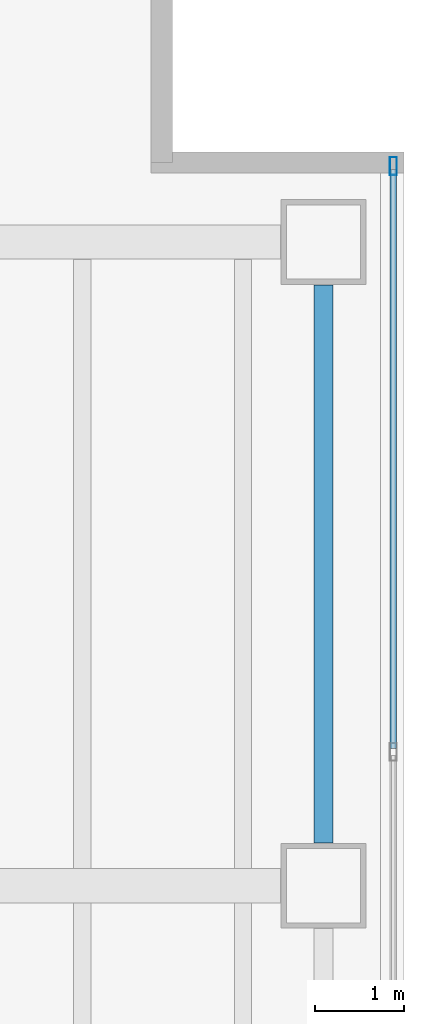
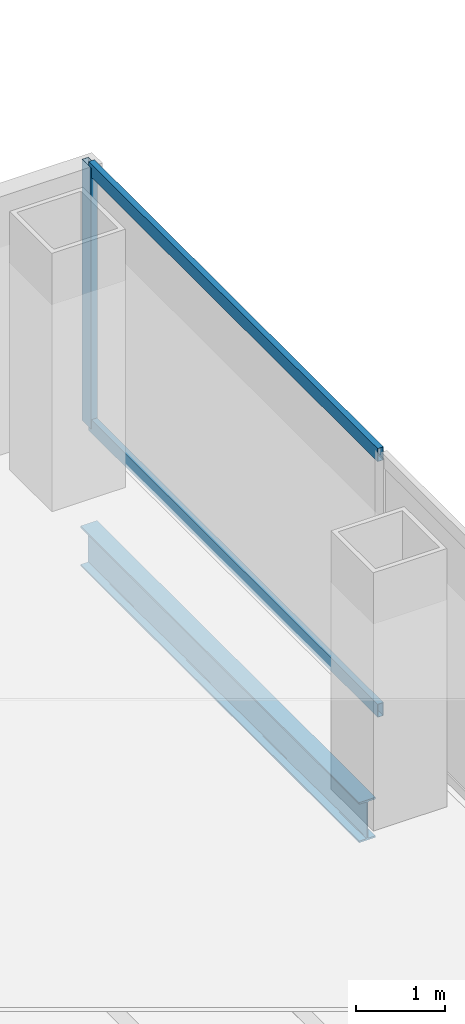
# One storey, part 13 of 24: 3 members, 1 beam, 1 element without a shape of its own.
"""IFC4 building model written with IfcOpenShell, lengths in metres."""

from ifc_helpers import new_model, si_unit, direction, frame, origin, origin_2d, place, context, subcontext, project, spatial, hollow_rectangle, i_section, extrude, material, material_profile, profile_set, type_object, element, aggregate, save


model = new_model("IFC4")

# Units and contexts
model_context = context("Model", 3, precision=1e-05, world=origin(), true_north=direction((0.0, 1.0)))
body_context = subcontext(model_context, "Body", "Model", "MODEL_VIEW")
ifc_project = project(units=[si_unit("LENGTHUNIT", "METRE"), si_unit("AREAUNIT", "SQUARE_METRE"), si_unit("VOLUMEUNIT", "CUBIC_METRE"), si_unit("PLANEANGLEUNIT", "RADIAN"), si_unit("MASSUNIT", "GRAM", prefix="KILO")], contexts=[model_context])

# Site, building, storey
site_placement = place(None, origin())
site = spatial("IfcSite", under=ifc_project, at=site_placement, CompositionType="ELEMENT")
building_placement = place(site_placement, origin())
building = spatial("IfcBuilding", under=site, at=building_placement, Name="Cobrela Telecom Tower", CompositionType="ELEMENT")
storey_placement = place(building_placement, frame((0.0, 0.0, 85.050048828125)))
storey = spatial("IfcBuildingStorey", under=building, at=storey_placement, Name="L21", CompositionType="ELEMENT", Elevation=85.050048828125)

# Beam
ifc_material_1 = material(Name="Steel ASTM A992 Grade 50", Category="steel")
ifc_material_profile_1 = material_profile(ifc_material_1, i_section(OverallWidth=0.212890625, OverallDepth=0.549072265625, WebThickness=0.0146484375, FlangeThickness=0.023681640625, FilletRadius=0.013916015625, at=origin_2d()), Name="W21X93")
ifc_profile_set_1 = profile_set([ifc_material_profile_1], Name="Steel ASTM A992 Grade 50")
beam_type = type_object("IfcBeamType", Name="BM-SPAND-03", PredefinedType="SPANDREL", material=ifc_profile_set_1)
beam_placement = place(storey_placement, frame((49.5, 14.8798828125, -0.554443359375), z_axis=(0.0, 1.0, 0.0), x_axis=(-1.0, 0.0, 0.0)))
element("IfcBeam", 1, at=beam_placement, inside=storey, type_object=beam_type, Name="L21 Perimeter Spandrel Y57", PredefinedType="SPANDREL", context=body_context, shape_type="SweptSolid", body=[
    extrude(i_section(OverallWidth=0.212890625, OverallDepth=0.549072265625, WebThickness=0.0146484375, FlangeThickness=0.023681640625, FilletRadius=0.013916015625, at=origin_2d()), origin(), (0.0, 0.0, 1.0), 6.240234375),
])

# Curtain wall, members
ifc_material_2 = material(Name="Anodized Bronze Aluminium 6063-T6", Category="aluminium")
curtain_wall_type = type_object("IfcCurtainWallType", Name="CW-SYS-DATA", PredefinedType="USERDEFINED", material=ifc_material_2)
curtain_wall_placement = place(storey_placement, origin())
curtain_wall = element("IfcCurtainWall", 2, at=curtain_wall_placement, inside=storey, type_object=curtain_wall_type, Name="L21 Unitised Bronze Curtain Wall 14", ObjectType="UNITISED CURTAIN WALL", PredefinedType="USERDEFINED")
ifc_material_profile_2 = material_profile(ifc_material_2, hollow_rectangle(XDim=0.080078125, YDim=0.199951171875, WallThickness=0.00390625, at=origin_2d()), Name="ALU 80x200x4")
ifc_profile_set_2 = profile_set([ifc_material_profile_2], Name="Anodized Bronze Aluminium 6063-T6")
member_type_1 = type_object("IfcMemberType", Name="CW-SYS-DATA-MUL", PredefinedType="MULLION", material=ifc_profile_set_2)
member_1_placement = place(storey_placement, frame((50.280029296875, 22.449951171875, 0.0), z_axis=(0.0, 0.0, 1.0), x_axis=(1.0, 0.0, 0.0)))
member_1 = element("IfcMember", 3, at=member_1_placement, type_object=member_type_1, Name="CW-DATA mullion 1", PredefinedType="MULLION", context=body_context, shape_type="SweptSolid", body=[
    extrude(hollow_rectangle(XDim=0.080078125, YDim=0.199951171875, WallThickness=0.00390625, at=origin_2d()), origin(), (0.0, 0.0, 1.0), 3.570068359375),
])
ifc_material_profile_3 = material_profile(ifc_material_2, hollow_rectangle(XDim=0.074951171875, YDim=0.179931640625, WallThickness=0.00390625, at=origin_2d()), Name="ALU 75x180x4")
ifc_profile_set_3 = profile_set([ifc_material_profile_3], Name="Anodized Bronze Aluminium 6063-T6")
member_type_2 = type_object("IfcMemberType", Name="CW-SYS-DATA-TRN", PredefinedType="USERDEFINED", material=ifc_profile_set_3)
member_2_placement = place(storey_placement, frame((50.280029296875, 22.409912109375, 0.037353515625), z_axis=(0.0, -1.0, 0.0), x_axis=(1.0, 0.0, 0.0)))
member_2 = element("IfcMember", 4, at=member_2_placement, type_object=member_type_2, Name="CW-DATA transom 1.1", ObjectType="TRANSOM", PredefinedType="USERDEFINED", context=body_context, shape_type="SweptSolid", body=[
    extrude(hollow_rectangle(XDim=0.074951171875, YDim=0.179931640625, WallThickness=0.00390625, at=origin_2d()), origin(), (0.0, 0.0, 1.0), 6.47314453125),
])
member_3_placement = place(storey_placement, frame((50.280029296875, 22.409912109375, 3.532470703125), z_axis=(0.0, -1.0, 0.0), x_axis=(1.0, 0.0, 0.0)))
member_3 = element("IfcMember", 5, at=member_3_placement, type_object=member_type_2, Name="CW-DATA transom 1.2", ObjectType="TRANSOM", PredefinedType="USERDEFINED", context=body_context, shape_type="SweptSolid", body=[
    extrude(hollow_rectangle(XDim=0.074951171875, YDim=0.179931640625, WallThickness=0.00390625, at=origin_2d()), origin(), (0.0, 0.0, 1.0), 6.47314453125),
])
aggregate(curtain_wall, [member_1, member_2, member_3])

save(model, "model.ifc")
